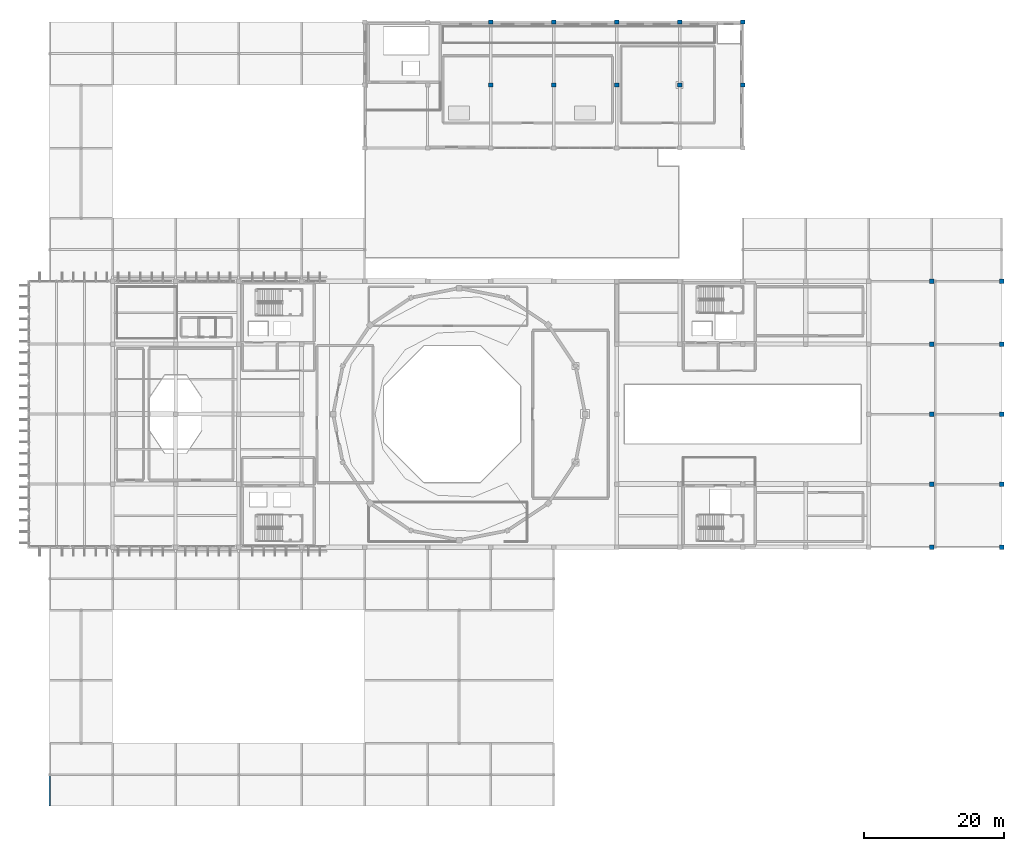
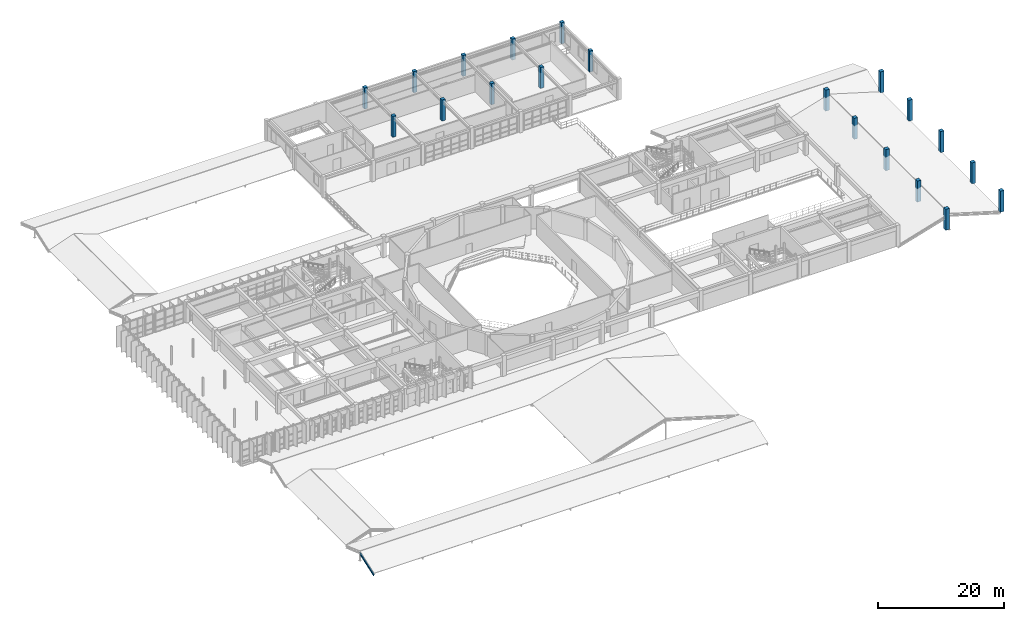
# One storey, part 7 of 80: 20 columns, 1 member.
"""IFC4 building model written with IfcOpenShell, lengths in metres."""

from ifc_helpers import new_model, si_unit, direction, frame, origin, origin_2d, place, context, subcontext, project, spatial, rectangle, i_section, extrude, material, material_profile, profile_set, type_object, element, save


model = new_model("IFC4")

# Units and contexts
model_context = context("Model", 3, precision=1e-05, world=origin(), true_north=direction((0.0, 1.0)))
body_context = subcontext(model_context, "Body", "Model", "MODEL_VIEW")
ifc_project = project(units=[si_unit("LENGTHUNIT", "METRE"), si_unit("AREAUNIT", "SQUARE_METRE"), si_unit("VOLUMEUNIT", "CUBIC_METRE"), si_unit("PLANEANGLEUNIT", "RADIAN"), si_unit("MASSUNIT", "GRAM", prefix="KILO")], contexts=[model_context])

# Site, building, storey
site_placement = place(None, origin())
site = spatial("IfcSite", under=ifc_project, at=site_placement, CompositionType="ELEMENT")
building_placement = place(site_placement, origin())
building = spatial("IfcBuilding", under=site, at=building_placement, Name="Miravela Opera House", CompositionType="ELEMENT")
storey_placement = place(building_placement, frame((0.0, 0.0, 17.679931640625)))
storey = spatial("IfcBuildingStorey", under=building, at=storey_placement, Name="L04", CompositionType="ELEMENT", Elevation=17.679931640625)

# Columns
ifc_material_1 = material(Name="Concrete C35/45", Category="concrete")
ifc_material_profile_1 = material_profile(ifc_material_1, rectangle(XDim=0.60009765625, YDim=0.60009765625, at=origin_2d()), Name="RC-COL-600X600")
ifc_profile_set_1 = profile_set([ifc_material_profile_1])
column_type_1 = type_object("IfcColumnType", Name="STR-COL-RC600", PredefinedType="COLUMN", material=ifc_profile_set_1)
for number, where, z_axis, x_axis, name in (
    (1, (81.0, 103.0, 0.0), (0.0, 0.0, 1.0), (1.0, 0.0, 0.0), "Column C-10L (L04)"),
    (2, (81.0, 112.0, 0.0), (0.0, 0.0, 1.0), (1.0, 0.0, 0.0), "Column C-10M (L04)"),
    (3, (90.0, 103.0, 0.0), (0.0, 0.0, 1.0), (1.0, 0.0, 0.0), "Column C-11L (L04)"),
    (4, (90.0, 112.0, 0.0), (0.0, 0.0, 1.0), (1.0, 0.0, 0.0), "Column C-11M (L04)"),
    (5, (99.0, 103.0, 0.0), (0.0, 0.0, 1.0), (1.0, 0.0, 0.0), "Column C-12L (L04)"),
    (6, (99.0, 112.0, 0.0), (0.0, 0.0, 1.0), (1.0, 0.0, 0.0), "Column C-12M (L04)"),
    (7, (108.0, 103.0, 0.0), (0.0, 0.0, 1.0), (1.0, 0.0, 0.0), "Column C-13L (L04)"),
    (8, (108.0, 112.0, 0.0), (0.0, 0.0, 1.0), (1.0, 0.0, 0.0), "Column C-13M (L04)"),
    (9, (117.0, 103.0, 0.0), (0.0, 0.0, 1.0), (1.0, 0.0, 0.0), "Column C-14L (L04)"),
    (10, (117.0, 112.0, 0.0), (0.0, 0.0, 1.0), (1.0, 0.0, 0.0), "Column C-14M (L04)"),
):
    element("IfcColumn", number, at=place(storey_placement, frame(where, z_axis=z_axis, x_axis=x_axis)), inside=storey, type_object=column_type_1, Name=name, PredefinedType="COLUMN", context=body_context, shape_type="SweptSolid", body=[
        extrude(rectangle(XDim=0.60009765625, YDim=0.60009765625, at=origin_2d()), origin(), (0.0, 0.0, 1.0), 4.080078125),
    ])
ifc_material_profile_2 = material_profile(ifc_material_1, rectangle(XDim=0.64990234375, YDim=0.64990234375, at=origin_2d()), Name="RC-COL-650X650")
ifc_profile_set_2 = profile_set([ifc_material_profile_2])
column_type_2 = type_object("IfcColumnType", Name="STR-COL-RC650", PredefinedType="COLUMN", material=ifc_profile_set_2)
for number, where, z_axis, x_axis, name in (
    (11, (144.0, 37.0, 0.0), (0.0, 0.0, 1.0), (1.0, 0.0, 0.0), "Column C-17E (L04)"),
    (12, (144.0, 46.0, 0.0), (0.0, 0.0, 1.0), (1.0, 0.0, 0.0), "Column C-17F (L04)"),
    (13, (144.0, 56.0, 0.0), (0.0, 0.0, 1.0), (1.0, 0.0, 0.0), "Column C-17G (L04)"),
    (14, (144.0, 66.0, 0.0), (0.0, 0.0, 1.0), (1.0, 0.0, 0.0), "Column C-17H (L04)"),
    (15, (144.0, 75.0, 0.0), (0.0, 0.0, 1.0), (1.0, 0.0, 0.0), "Column C-17I (L04)"),
    (16, (154.0, 37.0, 0.0), (0.0, 0.0, 1.0), (1.0, 0.0, 0.0), "Column C-18E (L04)"),
    (17, (154.0, 46.0, 0.0), (0.0, 0.0, 1.0), (1.0, 0.0, 0.0), "Column C-18F (L04)"),
    (18, (154.0, 56.0, 0.0), (0.0, 0.0, 1.0), (1.0, 0.0, 0.0), "Column C-18G (L04)"),
    (19, (154.0, 66.0, 0.0), (0.0, 0.0, 1.0), (1.0, 0.0, 0.0), "Column C-18H (L04)"),
    (20, (154.0, 75.0, 0.0), (0.0, 0.0, 1.0), (1.0, 0.0, 0.0), "Column C-18I (L04)"),
):
    element("IfcColumn", number, at=place(storey_placement, frame(where, z_axis=z_axis, x_axis=x_axis)), inside=storey, type_object=column_type_2, Name=name, PredefinedType="COLUMN", context=body_context, shape_type="SweptSolid", body=[
        extrude(rectangle(XDim=0.64990234375, YDim=0.64990234375, at=origin_2d()), origin(), (0.0, 0.0, 1.0), 4.080078125),
    ])

# Member
ifc_material_2 = material(Name="Structural steel ASTM A992 Gr. 50", Category="steel")
ifc_material_profile_3 = material_profile(ifc_material_2, i_section(OverallWidth=0.2041015625, OverallDepth=0.35009765625, WebThickness=0.008544921875, FlangeThickness=0.01513671875, FilletRadius=0.013916015625, at=origin_2d()), Name="W360X72")
ifc_profile_set_3 = profile_set([ifc_material_profile_3])
member_type = type_object("IfcMemberType", Name="STR-MEM-RAFTER-1", PredefinedType="RAFTER", material=ifc_profile_set_3)
member_placement = place(storey_placement, frame((18.0, 0.050048828125, -0.39990234375), z_axis=(0.0, 0.943687918104, 0.3308369889), x_axis=(-1.0, 0.0, 0.0)))
element("IfcMember", 21, at=member_placement, inside=storey, type_object=member_type, Name="Pitched Roof Rafter ROOF-V4-WEST-S S0", PredefinedType="RAFTER", context=body_context, shape_type="SweptSolid", body=[
    extrude(i_section(OverallWidth=0.2041015625, OverallDepth=0.35009765625, WebThickness=0.008544921875, FlangeThickness=0.01513671875, FilletRadius=0.013916015625, at=origin_2d()), origin(), (0.0, 0.0, 1.0), 4.715576171875),
])

save(model, "model.ifc")
